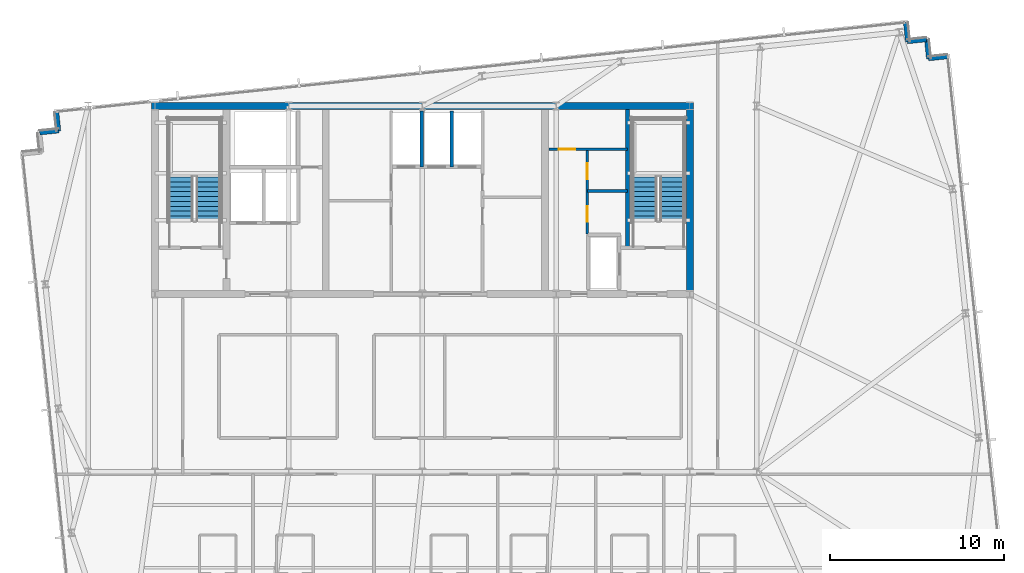
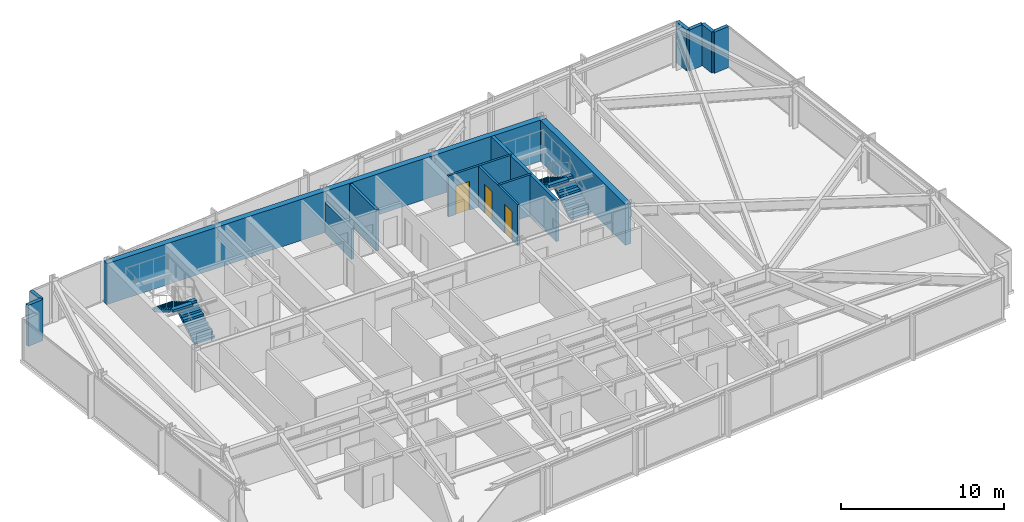
# One storey, part 29 of 33: 14 walls, 4 stair flights, 3 doors, 3 openings, 2 elements without a shape of their own.
"""IFC4 building model written with IfcOpenShell, lengths in metres."""

from ifc_helpers import new_model, si_unit, direction, frame, frame_2d, origin, place, context, subcontext, project, spatial, polyline, rectangle, outline, extrude, material, layer, layer_set, type_object, element, fill, aggregate, save


model = new_model("IFC4")

# Units and contexts
model_context = context("Model", 3, precision=1e-05, world=origin(), true_north=direction((0.0, 1.0)))
body_context = subcontext(model_context, "Body", "Model", "MODEL_VIEW")
ifc_project = project(units=[si_unit("LENGTHUNIT", "METRE"), si_unit("AREAUNIT", "SQUARE_METRE"), si_unit("VOLUMEUNIT", "CUBIC_METRE"), si_unit("PLANEANGLEUNIT", "RADIAN"), si_unit("MASSUNIT", "GRAM", prefix="KILO")], contexts=[model_context])

# Site, building, storey
site_placement = place(None, origin())
site = spatial("IfcSite", under=ifc_project, at=site_placement, CompositionType="ELEMENT")
building_placement = place(site_placement, origin())
building = spatial("IfcBuilding", under=site, at=building_placement, Name="Yelkora Congress Tower", CompositionType="ELEMENT")
storey_placement = place(building_placement, frame((0.0, 0.0, 240.800048828125)))
storey = spatial("IfcBuildingStorey", under=building, at=storey_placement, Name="L67", CompositionType="ELEMENT", Elevation=240.800048828125)

# Walls
ifc_material_1 = material(Name="Concrete C50/60", Category="concrete")
ifc_layer_1 = layer(ifc_material_1, 0.219970703125)
ifc_layer_set_1 = layer_set([ifc_layer_1], Name="Concrete C50/60")
wall_type_1 = type_object("IfcWallType", Name="WALL-CORE-INT-220", PredefinedType="SHEAR", material=ifc_layer_set_1)
wall_1_placement = place(storey_placement, frame((50.179931640625, 38.050048828125, 0.0), z_axis=(0.0, 0.0, 1.0), x_axis=(0.0, 1.0, 0.0)))
element("IfcWall", 1, at=wall_1_placement, inside=storey, type_object=wall_type_1, Name="L67 ST02 West Stair Shear Wall", PredefinedType="SHEAR", context=body_context, shape_type="SweptSolid", body=[
    extrude(rectangle(XDim=7.949951171875, YDim=0.219970703125, at=frame_2d((3.97509765625, 0.0))), origin(), (0.0, 0.0, 1.0), 3.079833984375),
])
ifc_layer_2 = layer(ifc_material_1, 0.39990234375)
ifc_layer_set_2 = layer_set([ifc_layer_2], Name="Concrete C50/60")
wall_type_2 = type_object("IfcWallType", Name="WALL-CORE-INT-400", PredefinedType="SHEAR", material=ifc_layer_set_2)
wall_2_placement = place(storey_placement, frame((22.840087890625, 46.199951171875, 0.0), z_axis=(0.0, 0.0, 1.0), x_axis=(1.0, 0.0, 0.0)))
element("IfcWall", 2, at=wall_2_placement, inside=storey, type_object=wall_type_2, Name="L67 Rear Core North Shear Wall", PredefinedType="SHEAR", context=body_context, shape_type="SweptSolid", body=[
    extrude(rectangle(XDim=31.119873046875, YDim=0.39990234375, at=frame_2d((15.56005859375, 0.0))), origin(), (0.0, 0.0, 1.0), 3.079833984375),
])
wall_3_placement = place(storey_placement, frame((53.760009765625, 35.60009765625, 0.0), z_axis=(0.0, 0.0, 1.0), x_axis=(0.0, 1.0, 0.0)))
element("IfcWall", 3, at=wall_3_placement, inside=storey, type_object=wall_type_2, Name="L67 Rear Core Cross Shear Wall E", PredefinedType="SHEAR", context=body_context, shape_type="SweptSolid", body=[
    extrude(rectangle(XDim=10.39990234375, YDim=0.39990234375, at=frame_2d((5.199951171875, 0.0))), origin(), (0.0, 0.0, 1.0), 3.079833984375),
])
ifc_material_2 = material(Name="Concrete C40/50", Category="concrete")
ifc_layer_3 = layer(ifc_material_2, 0.239990234375)
ifc_layer_set_3 = layer_set([ifc_layer_3], Name="Concrete C40/50")
wall_type_3 = type_object("IfcWallType", Name="WALL-EXT-LIMESTONE-240", PredefinedType="SOLIDWALL", material=ifc_layer_set_3)
wall_4_placement = place(storey_placement, frame((16.420166015625, 44.65380859375, 0.0), z_axis=(0.0, 0.0, 1.0), x_axis=(0.994541884982, 0.104338099541, 0.0)))
element("IfcWall", 4, at=wall_4_placement, inside=storey, type_object=wall_type_3, Name="L67 Serrated Corner Limestone Pier 8", PredefinedType="SOLIDWALL", context=body_context, shape_type="SweptSolid", body=[
    extrude(rectangle(XDim=1.099853515625, YDim=0.239990234375, at=frame_2d((0.5498046875, 0.0))), origin(), (0.0, 0.0, 1.0), 3.079833984375),
])
for number, where, z_axis, x_axis, name in (
    (5, (17.513916015625, 44.7685546875, 0.0), (0.0, 0.0, 1.0), (-0.104534592565, 0.994521251134, 0.0), "L67 Serrated Corner Limestone Pier 9"),
    (6, (66.150390625, 50.986572265625, 0.0), (0.0, 0.0, 1.0), (0.104534592565, -0.994521251134, 0.0), "L67 Serrated Corner Limestone Pier 11"),
    (7, (66.265380859375, 49.892578125, 0.0), (0.0, 0.0, 1.0), (0.994521251134, 0.104534592565, 0.0), "L67 Serrated Corner Limestone Pier 12"),
    (8, (67.359375, 50.007568359375, 0.0), (0.0, 0.0, 1.0), (0.104534592565, -0.994521251134, 0.0), "L67 Serrated Corner Limestone Pier 13"),
    (9, (67.474365234375, 48.91357421875, 0.0), (0.0, 0.0, 1.0), (0.994521251134, 0.104534592565, 0.0), "L67 Serrated Corner Limestone Pier 14"),
):
    element("IfcWall", number, at=place(storey_placement, frame(where, z_axis=z_axis, x_axis=x_axis)), inside=storey, type_object=wall_type_3, Name=name, PredefinedType="SOLIDWALL", context=body_context, shape_type="SweptSolid", body=[
        extrude(rectangle(XDim=1.10009765625, YDim=0.239990234375, at=frame_2d((0.550048828125, 0.0))), origin(), (0.0, 0.0, 1.0), 3.079833984375),
    ])

# Wall, opening, door
ifc_material_3 = material(Name="Acoustic metal-stud gypsum partition", Category="gypsum")
ifc_layer_4 = layer(ifc_material_3, 0.14990234375)
ifc_layer_set_4 = layer_set([ifc_layer_4], Name="Acoustic metal-stud gypsum partition")
wall_type_4 = type_object("IfcWallType", Name="WALL-INT-150-NR", PredefinedType="PARTITIONING", material=ifc_layer_set_4)
wall_5_placement = place(storey_placement, frame((45.679931640625, 43.719970703125, 0.0), z_axis=(0.0, 0.0, 1.0), x_axis=(1.0, 0.0, 0.0)))
wall_5 = element("IfcWall", 10, at=wall_5_placement, inside=storey, type_object=wall_type_4, Name="L67 Partition Wall 20", PredefinedType="PARTITIONING", context=body_context, shape_type="SweptSolid", body=[
    extrude(rectangle(XDim=4.5, YDim=0.14990234375, at=frame_2d((2.25, 0.0))), origin(), (0.0, 0.0, 1.0), 3.079833984375),
])
opening_1_placement = place(wall_5_placement, frame((0.550048828125, 0.0, 0.0)))
opening_1 = element("IfcOpeningElement", 11, at=opening_1_placement, cuts=wall_5, Name="Opening DR-095N", PredefinedType="OPENING", context=body_context, shape_type="SweptSolid", body=[
    extrude(rectangle(XDim=0.949951171875, YDim=2.14990234375, at=frame_2d((0.47509765625, 1.074951171875))), frame((0.0, 0.0849609375, 0.0), z_axis=(0.0, -1.0, 0.0), x_axis=(1.0, 0.0, 0.0)), (0.0, 0.0, 1.0), 0.169921875),
])
ifc_material_4 = material(Name="Acoustic laminated timber office door", Category="wood")
door_type_1 = type_object("IfcDoorType", Name="DOOR-INT-950", OperationType="NOTDEFINED", PredefinedType="DOOR", material=ifc_material_4)
door_1_placement = place(opening_1_placement, origin())
door_1 = element("IfcDoor", 12, at=door_1_placement, inside=storey, type_object=door_type_1, Name="L67 Accessible WC Door", OperationType="SINGLE_SWING_LEFT", OverallHeight=2.14990234375, OverallWidth=0.949951171875, PredefinedType="DOOR", context=body_context, shape_type="SweptSolid", body=[
    extrude(rectangle(XDim=0.949951171875, YDim=2.14990234375, at=frame_2d((0.47509765625, 1.074951171875))), frame((0.0, 0.02490234375, 0.0), z_axis=(0.0, -1.0, 0.0), x_axis=(1.0, 0.0, 0.0)), (0.0, 0.0, 1.0), 0.050048828125),
])
fill(opening_1, door_1)

# Wall
wall_6_placement = place(storey_placement, frame((47.8798828125, 41.320068359375, 0.0), z_axis=(0.0, 0.0, 1.0), x_axis=(1.0, 0.0, 0.0)))
element("IfcWall", 13, at=wall_6_placement, inside=storey, type_object=wall_type_4, Name="L67 Partition Wall 21", PredefinedType="PARTITIONING", context=body_context, shape_type="SweptSolid", body=[
    extrude(rectangle(XDim=2.300048828125, YDim=0.14990234375, at=frame_2d((1.14990234375, 0.0))), origin(), (0.0, 0.0, 1.0), 3.079833984375),
])

# Wall, openings, doors
wall_7_placement = place(storey_placement, frame((47.8798828125, 38.85009765625, 0.0), z_axis=(0.0, 0.0, 1.0), x_axis=(0.0, 1.0, 0.0)))
wall_7 = element("IfcWall", 14, at=wall_7_placement, inside=storey, type_object=wall_type_4, Name="L67 Partition Wall 22", PredefinedType="PARTITIONING", context=body_context, shape_type="SweptSolid", body=[
    extrude(rectangle(XDim=4.869873046875, YDim=0.14990234375, at=frame_2d((2.43505859375, 0.0))), origin(), (0.0, 0.0, 1.0), 3.079833984375),
])
opening_2_placement = place(wall_7_placement, frame((0.699951171875, 0.0, 0.0)))
opening_2 = element("IfcOpeningElement", 15, at=opening_2_placement, cuts=wall_7, Name="Opening DR-090N", PredefinedType="OPENING", context=body_context, shape_type="SweptSolid", body=[
    extrude(rectangle(XDim=0.89990234375, YDim=2.14990234375, at=frame_2d((0.449951171875, 1.074951171875))), frame((0.0, 0.0849609375, 0.0), z_axis=(0.0, -1.0, 0.0), x_axis=(1.0, 0.0, 0.0)), (0.0, 0.0, 1.0), 0.169921875),
])
opening_3_placement = place(wall_7_placement, frame((3.14990234375, 0.0, 0.0)))
opening_3 = element("IfcOpeningElement", 16, at=opening_3_placement, cuts=wall_7, Name="Opening DR-090N", PredefinedType="OPENING", context=body_context, shape_type="SweptSolid", body=[
    extrude(rectangle(XDim=0.89990234375, YDim=2.14990234375, at=frame_2d((0.449951171875, 1.074951171875))), frame((0.0, 0.0849609375, 0.0), z_axis=(0.0, -1.0, 0.0), x_axis=(1.0, 0.0, 0.0)), (0.0, 0.0, 1.0), 0.169921875),
])
ifc_material_5 = material(Name="Moisture-resistant laminate door leaf", Category="wood")
door_type_2 = type_object("IfcDoorType", Name="DOOR-INT-900", OperationType="NOTDEFINED", PredefinedType="DOOR", material=ifc_material_5)
door_2_placement = place(opening_2_placement, origin())
door_2 = element("IfcDoor", 17, at=door_2_placement, inside=storey, type_object=door_type_2, Name="L67 Male WC Door", OperationType="SINGLE_SWING_RIGHT", OverallHeight=2.14990234375, OverallWidth=0.89990234375, PredefinedType="DOOR", context=body_context, shape_type="SweptSolid", body=[
    extrude(rectangle(XDim=0.89990234375, YDim=2.14990234375, at=frame_2d((0.449951171875, 1.074951171875))), frame((0.0, 0.02490234375, 0.0), z_axis=(0.0, -1.0, 0.0), x_axis=(1.0, 0.0, 0.0)), (0.0, 0.0, 1.0), 0.050048828125),
])
fill(opening_2, door_2)
door_3_placement = place(opening_3_placement, origin())
door_3 = element("IfcDoor", 18, at=door_3_placement, inside=storey, type_object=door_type_2, Name="L67 Female WC Door", OperationType="SINGLE_SWING_LEFT", OverallHeight=2.14990234375, OverallWidth=0.89990234375, PredefinedType="DOOR", context=body_context, shape_type="SweptSolid", body=[
    extrude(rectangle(XDim=0.89990234375, YDim=2.14990234375, at=frame_2d((0.449951171875, 1.074951171875))), frame((0.0, 0.02490234375, 0.0), z_axis=(0.0, -1.0, 0.0), x_axis=(1.0, 0.0, 0.0)), (0.0, 0.0, 1.0), 0.050048828125),
])
fill(opening_3, door_3)

# Walls
ifc_material_6 = material(Name="Autoclaved aerated concrete blockwork", Category="masonry")
ifc_layer_5 = layer(ifc_material_6, 0.199951171875)
ifc_layer_set_5 = layer_set([ifc_layer_5], Name="Autoclaved aerated concrete blockwork")
wall_type_5 = type_object("IfcWallType", Name="WALL-INT-200-R120", PredefinedType="PARTITIONING", material=ifc_layer_set_5)
wall_8_placement = place(storey_placement, frame((38.35009765625, 42.699951171875, 0.0), z_axis=(0.0, 0.0, 1.0), x_axis=(0.0, 1.0, 0.0)))
element("IfcWall", 19, at=wall_8_placement, inside=storey, type_object=wall_type_5, Name="L67 Partition Wall 9", PredefinedType="PARTITIONING", context=body_context, shape_type="SweptSolid", body=[
    extrude(rectangle(XDim=3.219970703125, YDim=0.199951171875, at=frame_2d((1.60986328125, 0.0))), origin(), (0.0, 0.0, 1.0), 2.31298828125),
])
wall_9_placement = place(storey_placement, frame((40.10009765625, 42.699951171875, 0.0), z_axis=(0.0, 0.0, 1.0), x_axis=(0.0, 1.0, 0.0)))
element("IfcWall", 20, at=wall_9_placement, inside=storey, type_object=wall_type_5, Name="L67 Partition Wall 10", PredefinedType="PARTITIONING", context=body_context, shape_type="SweptSolid", body=[
    extrude(rectangle(XDim=3.219970703125, YDim=0.199951171875, at=frame_2d((1.60986328125, 0.0))), origin(), (0.0, 0.0, 1.0), 3.079833984375),
])

# Stair, stair flights
stair_type = type_object("IfcStairType", Name="STAIR-HT-1420-R20-165", PredefinedType="HALF_TURN_STAIR", material=ifc_material_2)
stair_1_placement = place(storey_placement, origin())
stair_1 = element("IfcStair", 21, at=stair_1_placement, inside=storey, type_object=stair_type, Name="West Core Protected Exit Stair ST-01 (L67)", PredefinedType="HALF_TURN_STAIR")
stair_flight_type = type_object("IfcStairFlightType", Name="FLIGHT-1420-N10-R165-G280", PredefinedType="STRAIGHT", material=ifc_material_2)
stair_flight_1_placement = place(storey_placement, frame((26.110107421875, 39.60009765625, 0.0), z_axis=(0.0, 0.0, 1.0), x_axis=(0.0, 1.0, 0.0)))
stair_flight_1 = element("IfcStairFlight", 22, at=stair_flight_1_placement, type_object=stair_flight_type, Name="ST-01 L67 Flight 1", NumberOfRisers=10, NumberOfTreads=9, PredefinedType="STRAIGHT", RiserHeight=0.165, TreadLength=0.28, context=body_context, shape_type="SweptSolid", body=[
    extrude(outline(polyline([(0.0, 0.0), (0.0, 0.1650390625), (0.280029296875, 0.1650390625), (0.280029296875, 0.330078125), (0.56005859375, 0.330078125), (0.56005859375, 0.4951171875), (0.840087890625, 0.4951171875), (0.840087890625, 0.659912109375), (1.1201171875, 0.659912109375), (1.1201171875, 0.824951171875), (1.39990234375, 0.824951171875), (1.39990234375, 0.989990234375), (1.679931640625, 0.989990234375), (1.679931640625, 1.155029296875), (1.9599609375, 1.155029296875), (1.9599609375, 1.320068359375), (2.239990234375, 1.320068359375), (2.239990234375, 1.485107421875), (2.52001953125, 1.485107421875), (2.52001953125, 1.64990234375), (2.52001953125, 1.29931640625), (0.31494140625, 0.0), (0.0, 0.0)])), frame((0.0, 0.7099609375, 0.0), z_axis=(0.0, -1.0, 0.0), x_axis=(1.0, 0.0, 0.0)), (0.0, 0.0, 1.0), 1.419921875),
])
stair_flight_2_placement = place(storey_placement, frame((24.530029296875, 42.1201171875, 1.64990234375), z_axis=(0.0, 0.0, 1.0), x_axis=(0.0, -1.0, 0.0)))
stair_flight_2 = element("IfcStairFlight", 23, at=stair_flight_2_placement, type_object=stair_flight_type, Name="ST-01 L67 Flight 2", NumberOfRisers=10, NumberOfTreads=9, PredefinedType="STRAIGHT", RiserHeight=0.165, TreadLength=0.28, context=body_context, shape_type="SweptSolid", body=[
    extrude(outline(polyline([(0.0, 0.0), (0.0, 0.1650390625), (0.280029296875, 0.1650390625), (0.280029296875, 0.330078125), (0.56005859375, 0.330078125), (0.56005859375, 0.4951171875), (0.840087890625, 0.4951171875), (0.840087890625, 0.659912109375), (1.1201171875, 0.659912109375), (1.1201171875, 0.824951171875), (1.39990234375, 0.824951171875), (1.39990234375, 0.989990234375), (1.679931640625, 0.989990234375), (1.679931640625, 1.155029296875), (1.9599609375, 1.155029296875), (1.9599609375, 1.320068359375), (2.239990234375, 1.320068359375), (2.239990234375, 1.485107421875), (2.52001953125, 1.485107421875), (2.52001953125, 1.64990234375), (2.52001953125, 1.29931640625), (0.31494140625, 0.0), (0.0, 0.0)])), frame((0.0, 0.7099609375, 0.0), z_axis=(0.0, -1.0, 0.0), x_axis=(1.0, 0.0, 0.0)), (0.0, 0.0, 1.0), 1.419921875),
])
aggregate(stair_1, [stair_flight_1, stair_flight_2])

stair_2_placement = place(storey_placement, origin())
stair_2 = element("IfcStair", 24, at=stair_2_placement, inside=storey, type_object=stair_type, Name="East Core Protected Exit Stair ST-02 (L67)", PredefinedType="HALF_TURN_STAIR")
stair_flight_3_placement = place(storey_placement, frame((52.75, 39.60009765625, 0.0), z_axis=(0.0, 0.0, 1.0), x_axis=(0.0, 1.0, 0.0)))
stair_flight_3 = element("IfcStairFlight", 25, at=stair_flight_3_placement, type_object=stair_flight_type, Name="ST-02 L67 Flight 1", NumberOfRisers=10, NumberOfTreads=9, PredefinedType="STRAIGHT", RiserHeight=0.165, TreadLength=0.28, context=body_context, shape_type="SweptSolid", body=[
    extrude(outline(polyline([(0.0, 0.0), (0.0, 0.1650390625), (0.280029296875, 0.1650390625), (0.280029296875, 0.330078125), (0.56005859375, 0.330078125), (0.56005859375, 0.4951171875), (0.840087890625, 0.4951171875), (0.840087890625, 0.659912109375), (1.1201171875, 0.659912109375), (1.1201171875, 0.824951171875), (1.39990234375, 0.824951171875), (1.39990234375, 0.989990234375), (1.679931640625, 0.989990234375), (1.679931640625, 1.155029296875), (1.9599609375, 1.155029296875), (1.9599609375, 1.320068359375), (2.239990234375, 1.320068359375), (2.239990234375, 1.485107421875), (2.52001953125, 1.485107421875), (2.52001953125, 1.64990234375), (2.52001953125, 1.29931640625), (0.31494140625, 0.0), (0.0, 0.0)])), frame((0.0, 0.7099609375, 0.0), z_axis=(0.0, -1.0, 0.0), x_axis=(1.0, 0.0, 0.0)), (0.0, 0.0, 1.0), 1.419921875),
])
stair_flight_4_placement = place(storey_placement, frame((51.169921875, 42.1201171875, 1.64990234375), z_axis=(0.0, 0.0, 1.0), x_axis=(0.0, -1.0, 0.0)))
stair_flight_4 = element("IfcStairFlight", 26, at=stair_flight_4_placement, type_object=stair_flight_type, Name="ST-02 L67 Flight 2", NumberOfRisers=10, NumberOfTreads=9, PredefinedType="STRAIGHT", RiserHeight=0.165, TreadLength=0.28, context=body_context, shape_type="SweptSolid", body=[
    extrude(outline(polyline([(0.0, 0.0), (0.0, 0.1650390625), (0.280029296875, 0.1650390625), (0.280029296875, 0.330078125), (0.56005859375, 0.330078125), (0.56005859375, 0.4951171875), (0.840087890625, 0.4951171875), (0.840087890625, 0.659912109375), (1.1201171875, 0.659912109375), (1.1201171875, 0.824951171875), (1.39990234375, 0.824951171875), (1.39990234375, 0.989990234375), (1.679931640625, 0.989990234375), (1.679931640625, 1.155029296875), (1.9599609375, 1.155029296875), (1.9599609375, 1.320068359375), (2.239990234375, 1.320068359375), (2.239990234375, 1.485107421875), (2.52001953125, 1.485107421875), (2.52001953125, 1.64990234375), (2.52001953125, 1.29931640625), (0.31494140625, 0.0), (0.0, 0.0)])), frame((0.0, 0.7099609375, 0.0), z_axis=(0.0, -1.0, 0.0), x_axis=(1.0, 0.0, 0.0)), (0.0, 0.0, 1.0), 1.419921875),
])
aggregate(stair_2, [stair_flight_3, stair_flight_4])

save(model, "model.ifc")
